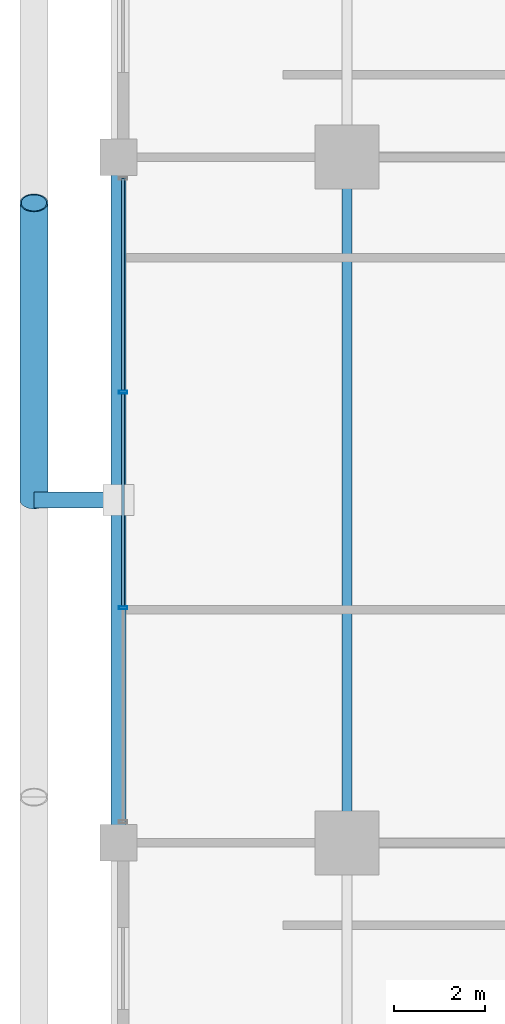
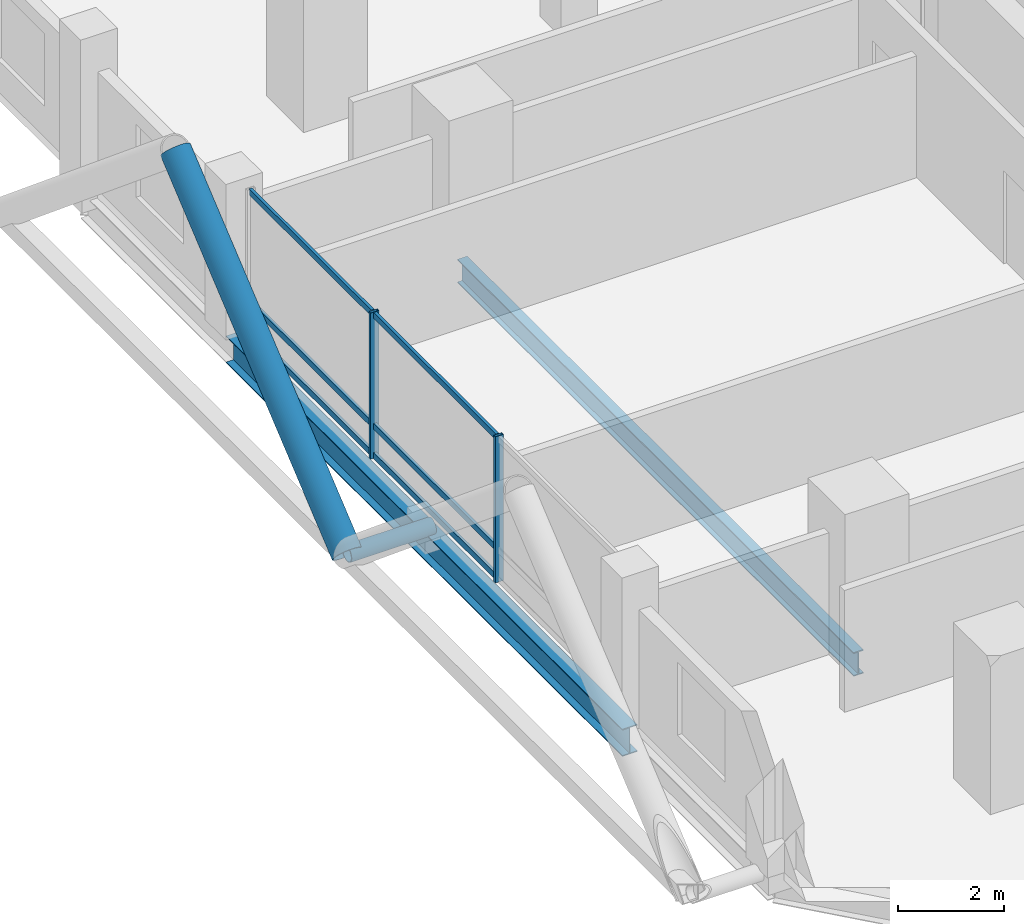
# One storey, part 8 of 26: 10 members, 2 beams, 1 element without a shape of its own.
"""IFC4 building model written with IfcOpenShell, lengths in metres."""

from ifc_helpers import new_model, si_unit, direction, frame, origin, origin_2d, place, context, subcontext, project, spatial, hollow_rectangle, hollow_circle, i_section, extrude, material, layer, layer_set, material_profile, profile_set, type_object, element, aggregate, save


model = new_model("IFC4")

# Units and contexts
model_context = context("Model", 3, precision=1e-05, world=origin(), true_north=direction((0.0, 1.0)))
body_context = subcontext(model_context, "Body", "Model", "MODEL_VIEW")
ifc_project = project(units=[si_unit("LENGTHUNIT", "METRE"), si_unit("AREAUNIT", "SQUARE_METRE"), si_unit("VOLUMEUNIT", "CUBIC_METRE"), si_unit("PLANEANGLEUNIT", "RADIAN"), si_unit("MASSUNIT", "GRAM", prefix="KILO")], contexts=[model_context])

# Site, building, storey
site_placement = place(None, origin())
site = spatial("IfcSite", under=ifc_project, at=site_placement, CompositionType="ELEMENT")
building_placement = place(site_placement, origin())
building = spatial("IfcBuilding", under=site, at=building_placement, Name="Barlavira Tower and Art Museum", CompositionType="ELEMENT")
storey_placement = place(building_placement, frame((0.0, 0.0, 82.800048828125)))
storey = spatial("IfcBuildingStorey", under=building, at=storey_placement, Name="L20", CompositionType="ELEMENT", Elevation=82.800048828125)

# Curtain wall, members
ifc_material_1 = material(Name="Low-iron coastal laminated glass", Category="glass")
ifc_layer = layer(ifc_material_1, 0.179931640625, Name="Low-iron coastal laminated glass")
ifc_layer_set = layer_set([ifc_layer], Name="Low-iron coastal laminated glass")
curtain_wall_type = type_object("IfcCurtainWallType", Name="Pale-Metal Unitised Curtain Wall Zone 1", PredefinedType="NOTDEFINED", material=ifc_layer_set)
curtain_wall_placement = place(storey_placement, origin())
curtain_wall = element("IfcCurtainWall", 1, at=curtain_wall_placement, inside=storey, type_object=curtain_wall_type, Name="L20 Curtain Wall CW1-L20-W-B3", PredefinedType="NOTDEFINED")
ifc_material_2 = material(Name="Pale anodised aluminium", Category="aluminium")
ifc_material_profile_1 = material_profile(ifc_material_2, hollow_rectangle(XDim=0.06494140625, YDim=0.179931640625, WallThickness=0.00390625, at=origin_2d()), Name="ALU-MULL 65x180x4")
ifc_profile_set_1 = profile_set([ifc_material_profile_1], Name="Pale anodised aluminium")
member_type_1 = type_object("IfcMemberType", Name="Curtain Wall Pale-Metal Mullion 65x180", PredefinedType="MULLION", material=ifc_profile_set_1)
member_1_placement = place(storey_placement, frame((-21.89990234375, 2.360107421875, 0.0), z_axis=(0.0, 0.0, 1.0), x_axis=(0.0, -1.0, 0.0)))
member_1 = element("IfcMember", 2, at=member_1_placement, type_object=member_type_1, Name="CW1-L20-W-B3 Mullion 1", PredefinedType="MULLION", context=body_context, shape_type="SweptSolid", body=[
    extrude(hollow_rectangle(XDim=0.06494140625, YDim=0.179931640625, WallThickness=0.00390625, at=origin_2d()), origin(), (0.0, 0.0, 1.0), 3.3798828125),
])
member_2_placement = place(storey_placement, frame((-21.89990234375, -2.360107421875, 0.0), z_axis=(0.0, 0.0, 1.0), x_axis=(0.0, -1.0, 0.0)))
member_2 = element("IfcMember", 3, at=member_2_placement, type_object=member_type_1, Name="CW1-L20-W-B3 Mullion 2", PredefinedType="MULLION", context=body_context, shape_type="SweptSolid", body=[
    extrude(hollow_rectangle(XDim=0.06494140625, YDim=0.179931640625, WallThickness=0.00390625, at=origin_2d()), origin(), (0.0, 0.0, 1.0), 3.3798828125),
])
ifc_material_profile_2 = material_profile(ifc_material_2, hollow_rectangle(XDim=0.06494140625, YDim=0.139892578125, WallThickness=0.00390625, at=origin_2d()), Name="ALU-TRAN 65x140x4")
ifc_profile_set_2 = profile_set([ifc_material_profile_2], Name="Pale anodised aluminium")
member_type_2 = type_object("IfcMemberType", Name="Curtain Wall Pale-Metal Transom 65x140", PredefinedType="USERDEFINED", material=ifc_profile_set_2)
member_3_placement = place(storey_placement, frame((-21.89990234375, 7.034912109375, 0.070068359375), z_axis=(0.0, -1.0, 0.0), x_axis=(1.0, 0.0, 0.0)))
member_3 = element("IfcMember", 4, at=member_3_placement, type_object=member_type_2, Name="CW1-L20-W-B3 Transom 0.1", ObjectType="TRANSOM", PredefinedType="USERDEFINED", context=body_context, shape_type="SweptSolid", body=[
    extrude(hollow_rectangle(XDim=0.06494140625, YDim=0.139892578125, WallThickness=0.00390625, at=origin_2d()), origin(), (0.0, 0.0, 1.0), 4.6298828125),
])
member_4_placement = place(storey_placement, frame((-21.89990234375, 7.034912109375, 0.743896484375), z_axis=(0.0, -1.0, 0.0), x_axis=(1.0, 0.0, 0.0)))
member_4 = element("IfcMember", 5, at=member_4_placement, type_object=member_type_2, Name="CW1-L20-W-B3 Transom 0.2", ObjectType="TRANSOM", PredefinedType="USERDEFINED", context=body_context, shape_type="SweptSolid", body=[
    extrude(hollow_rectangle(XDim=0.06494140625, YDim=0.139892578125, WallThickness=0.00390625, at=origin_2d()), origin(), (0.0, 0.0, 1.0), 4.6298828125),
])
member_5_placement = place(storey_placement, frame((-21.89990234375, 7.034912109375, 3.31005859375), z_axis=(0.0, -1.0, 0.0), x_axis=(1.0, 0.0, 0.0)))
member_5 = element("IfcMember", 6, at=member_5_placement, type_object=member_type_2, Name="CW1-L20-W-B3 Transom 0.3", ObjectType="TRANSOM", PredefinedType="USERDEFINED", context=body_context, shape_type="SweptSolid", body=[
    extrude(hollow_rectangle(XDim=0.06494140625, YDim=0.139892578125, WallThickness=0.00390625, at=origin_2d()), origin(), (0.0, 0.0, 1.0), 4.6298828125),
])
member_6_placement = place(storey_placement, frame((-21.89990234375, 2.31494140625, 0.070068359375), z_axis=(0.0, -1.0, 0.0), x_axis=(1.0, 0.0, 0.0)))
member_6 = element("IfcMember", 7, at=member_6_placement, type_object=member_type_2, Name="CW1-L20-W-B3 Transom 1.1", ObjectType="TRANSOM", PredefinedType="USERDEFINED", context=body_context, shape_type="SweptSolid", body=[
    extrude(hollow_rectangle(XDim=0.06494140625, YDim=0.139892578125, WallThickness=0.00390625, at=origin_2d()), origin(), (0.0, 0.0, 1.0), 4.6298828125),
])
member_7_placement = place(storey_placement, frame((-21.89990234375, 2.31494140625, 0.743896484375), z_axis=(0.0, -1.0, 0.0), x_axis=(1.0, 0.0, 0.0)))
member_7 = element("IfcMember", 8, at=member_7_placement, type_object=member_type_2, Name="CW1-L20-W-B3 Transom 1.2", ObjectType="TRANSOM", PredefinedType="USERDEFINED", context=body_context, shape_type="SweptSolid", body=[
    extrude(hollow_rectangle(XDim=0.06494140625, YDim=0.139892578125, WallThickness=0.00390625, at=origin_2d()), origin(), (0.0, 0.0, 1.0), 4.6298828125),
])
member_8_placement = place(storey_placement, frame((-21.89990234375, 2.31494140625, 3.31005859375), z_axis=(0.0, -1.0, 0.0), x_axis=(1.0, 0.0, 0.0)))
member_8 = element("IfcMember", 9, at=member_8_placement, type_object=member_type_2, Name="CW1-L20-W-B3 Transom 1.3", ObjectType="TRANSOM", PredefinedType="USERDEFINED", context=body_context, shape_type="SweptSolid", body=[
    extrude(hollow_rectangle(XDim=0.06494140625, YDim=0.139892578125, WallThickness=0.00390625, at=origin_2d()), origin(), (0.0, 0.0, 1.0), 4.6298828125),
])
aggregate(curtain_wall, [member_1, member_2, member_3, member_4, member_5, member_6, member_7, member_8])

# Members
ifc_material_3 = material(Name="Steel S355", Category="steel")
ifc_material_profile_3 = material_profile(ifc_material_3, hollow_circle(Radius=0.304931640625, WallThickness=0.028076171875, at=origin_2d()), Name="CHS 610.0x28.0")
ifc_profile_set_3 = profile_set([ifc_material_profile_3], Name="Steel S355")
member_type_3 = type_object("IfcMemberType", Name="Pale-Metal Exoskeleton Diagrid Tube CHS 610x28 Steel S355", PredefinedType="BRACE", material=ifc_profile_set_3)
member_9_placement = place(storey_placement, frame((-23.85009765625, 0.0, -0.1201171875), z_axis=(0.0, 0.76918185268, 0.639029950399), x_axis=(-1.0, 0.0, 0.0)))
element("IfcMember", 10, at=member_9_placement, inside=storey, type_object=member_type_3, Name="L20 Exoskeleton Diagrid Tube W", PredefinedType="BRACE", context=body_context, shape_type="SweptSolid", body=[
    extrude(hollow_circle(Radius=0.304931640625, WallThickness=0.028076171875, at=origin_2d()), origin(), (0.0, 0.0, 1.0), 8.450439453125),
])
ifc_material_profile_4 = material_profile(ifc_material_3, hollow_circle(Radius=0.177734375, WallThickness=0.01611328125, at=origin_2d()), Name="CHS 355.6x16.0")
ifc_profile_set_4 = profile_set([ifc_material_profile_4], Name="Steel S355")
member_type_4 = type_object("IfcMemberType", Name="Pale-Metal Exoskeleton Tie Strut CHS 356x16 Steel S355", PredefinedType="STRUT", material=ifc_profile_set_4)
member_10_placement = place(storey_placement, frame((-23.85009765625, 0.0, -0.1201171875), z_axis=(1.0, 0.0, 0.0), x_axis=(0.0, 1.0, 0.0)))
element("IfcMember", 11, at=member_10_placement, inside=storey, type_object=member_type_4, Name="L20 Exoskeleton Tie Strut W2", PredefinedType="STRUT", context=body_context, shape_type="SweptSolid", body=[
    extrude(hollow_circle(Radius=0.177734375, WallThickness=0.01611328125, at=origin_2d()), origin(), (0.0, 0.0, 1.0), 1.85009765625),
])

# Beams
ifc_material_profile_5 = material_profile(ifc_material_3, i_section(OverallWidth=0.327880859375, OverallDepth=0.62890625, WebThickness=0.013916015625, FlangeThickness=0.021484375, at=origin_2d()), Name="W610x174.0")
ifc_profile_set_5 = profile_set([ifc_material_profile_5], Name="Steel S355")
beam_type_1 = type_object("IfcBeamType", Name="Perimeter Spandrel Edge Beam W610x174 Steel S355", PredefinedType="SPANDREL", material=ifc_profile_set_5)
beam_1_placement = place(storey_placement, frame((-22.0, -7.5, -0.53466796875), z_axis=(0.0, 1.0, 0.0), x_axis=(-1.0, 0.0, 0.0)))
element("IfcBeam", 12, at=beam_1_placement, inside=storey, type_object=beam_type_1, Name="L20 Spandrel 14", PredefinedType="SPANDREL", context=body_context, shape_type="SweptSolid", body=[
    extrude(i_section(OverallWidth=0.327880859375, OverallDepth=0.62890625, WebThickness=0.013916015625, FlangeThickness=0.021484375, at=origin_2d()), origin(), (0.0, 0.0, 1.0), 15.0),
])
ifc_material_profile_6 = material_profile(ifc_material_3, i_section(OverallWidth=0.214111328125, OverallDepth=0.549072265625, WebThickness=0.0146484375, FlangeThickness=0.023681640625, at=origin_2d()), Name="W530x138.0")
ifc_profile_set_6 = profile_set([ifc_material_profile_6], Name="Steel S355")
beam_type_2 = type_object("IfcBeamType", Name="Zone 1 Primary Floor Girder W530x138 Steel S355", PredefinedType="BEAM", material=ifc_profile_set_6)
beam_2_placement = place(storey_placement, frame((-17.0, -7.5, -0.49462890625), z_axis=(0.0, 1.0, 0.0), x_axis=(-1.0, 0.0, 0.0)))
element("IfcBeam", 13, at=beam_2_placement, inside=storey, type_object=beam_type_2, Name="L20 Girder M-W2", PredefinedType="BEAM", context=body_context, shape_type="SweptSolid", body=[
    extrude(i_section(OverallWidth=0.214111328125, OverallDepth=0.549072265625, WebThickness=0.0146484375, FlangeThickness=0.023681640625, at=origin_2d()), origin(), (0.0, 0.0, 1.0), 15.0),
])

save(model, "model.ifc")
